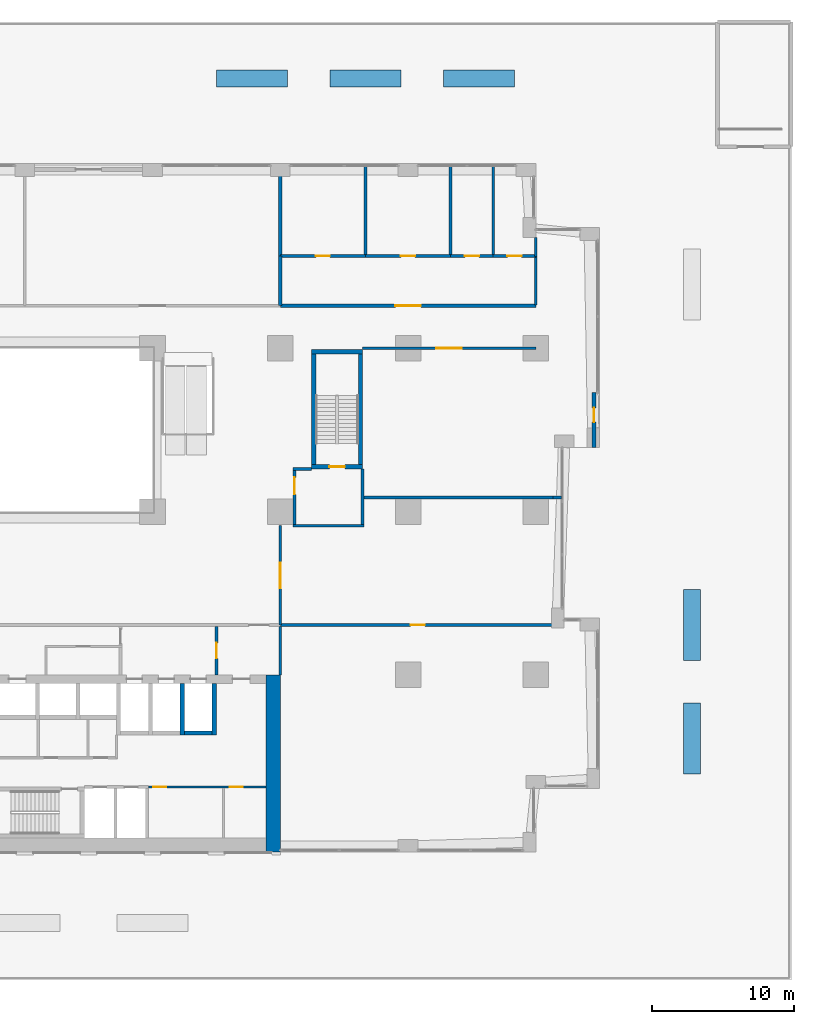
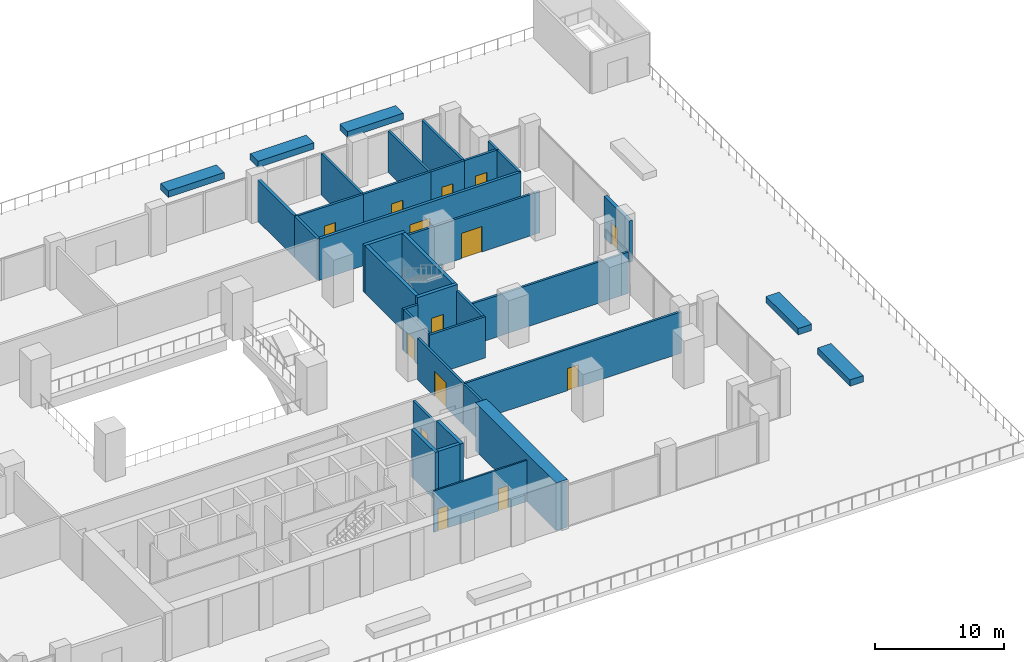
# One storey, part 15 of 19: 38 walls, 14 doors, 14 openings.
"""IFC4 building model written with IfcOpenShell, lengths in metres."""

from ifc_helpers import new_model, si_unit, direction, frame, frame_2d, origin, place, context, subcontext, project, spatial, rectangle, extrude, material, layer, layer_set, type_object, element, fill, save


model = new_model("IFC4")

# Units and contexts
model_context = context("Model", 3, precision=1e-05, world=origin(), true_north=direction((0.0, 1.0)))
body_context = subcontext(model_context, "Body", "Model", "MODEL_VIEW")
ifc_project = project(units=[si_unit("LENGTHUNIT", "METRE"), si_unit("AREAUNIT", "SQUARE_METRE"), si_unit("VOLUMEUNIT", "CUBIC_METRE"), si_unit("PLANEANGLEUNIT", "RADIAN"), si_unit("MASSUNIT", "GRAM", prefix="KILO")], contexts=[model_context])

# Site, building, storey
site_placement = place(None, origin())
site = spatial("IfcSite", under=ifc_project, at=site_placement, CompositionType="ELEMENT")
building_placement = place(site_placement, origin())
building = spatial("IfcBuilding", under=site, at=building_placement, Name="Brigalow Station Residences", CompositionType="ELEMENT")
storey_placement = place(building_placement, frame((0.0, 0.0, 11.0)))
storey = spatial("IfcBuildingStorey", under=building, at=storey_placement, Name="L02", CompositionType="ELEMENT", Elevation=11.0)

# Walls
ifc_material_1 = material(Name="Concrete C80", Category="concrete")
ifc_layer_1 = layer(ifc_material_1, 1.0)
ifc_layer_set_1 = layer_set([ifc_layer_1], Name="CORE SHEAR WALL 1000 C80")
wall_type_1 = type_object("IfcWallType", Name="CORE SHEAR WALL 1000 C80", PredefinedType="SHEAR", material=ifc_layer_set_1)
wall_1_placement = place(storey_placement, frame((53.5, 0.0, 0.0), z_axis=(0.0, 0.0, 1.0), x_axis=(0.0, 1.0, 0.0)))
element("IfcWall", 1, at=wall_1_placement, inside=storey, type_object=wall_type_1, Name="CORE WALL OUT-E L02", PredefinedType="SHEAR", context=body_context, shape_type="SweptSolid", body=[
    extrude(rectangle(XDim=12.5, YDim=1.0, at=frame_2d((6.25, 0.0))), origin(), (0.0, 0.0, 1.0), 4.5),
])
ifc_material_2 = material(Name="Concrete C80", Category="concrete")
ifc_layer_2 = layer(ifc_material_2, 0.300048828125)
ifc_layer_set_2 = layer_set([ifc_layer_2], Name="CORE SHEAR WALL 300 C80")
wall_type_2 = type_object("IfcWallType", Name="CORE SHEAR WALL 300 C80", PredefinedType="SHEAR", material=ifc_layer_set_2)
wall_2_placement = place(storey_placement, frame((47.25, 8.39990234375, 0.0), z_axis=(0.0, 0.0, 1.0), x_axis=(1.0, 0.0, 0.0)))
element("IfcWall", 2, at=wall_2_placement, inside=storey, type_object=wall_type_2, Name="CORE WALL SH-SL1-S L02", PredefinedType="SHEAR", context=body_context, shape_type="SweptSolid", body=[
    extrude(rectangle(XDim=1.949951171875, YDim=0.300048828125, at=frame_2d((0.97509765625, 0.0))), origin(), (0.0, 0.0, 1.0), 4.5),
])
for number, where, z_axis, x_axis, name in (
    (3, (47.10009765625, 8.25, 0.0), (0.0, 0.0, 1.0), (0.0, 1.0, 0.0), "CORE WALL SH-SL1-W L02"),
    (4, (49.35009765625, 8.25, 0.0), (0.0, 0.0, 1.0), (0.0, 1.0, 0.0), "CORE WALL SH-SL1-E L02"),
):
    element("IfcWall", number, at=place(storey_placement, frame(where, z_axis=z_axis, x_axis=x_axis)), inside=storey, type_object=wall_type_2, Name=name, PredefinedType="SHEAR", context=body_context, shape_type="SweptSolid", body=[
        extrude(rectangle(XDim=3.64990234375, YDim=0.300048828125, at=frame_2d((1.824951171875, 0.0))), origin(), (0.0, 0.0, 1.0), 4.5),
    ])

# Wall, opening, door
wall_3_placement = place(storey_placement, frame((56.199951171875, 27.14990234375, 0.0), z_axis=(0.0, 0.0, 1.0), x_axis=(1.0, 0.0, 0.0)))
wall_3 = element("IfcWall", 5, at=wall_3_placement, inside=storey, type_object=wall_type_2, Name="CORE WALL ST-S3-S L02", PredefinedType="SHEAR", context=body_context, shape_type="SweptSolid", body=[
    extrude(rectangle(XDim=3.60009765625, YDim=0.300048828125, at=frame_2d((1.800048828125, 0.0))), origin(), (0.0, 0.0, 1.0), 4.5),
])
opening_1_placement = place(wall_3_placement, frame((1.25, 0.0, 0.0)))
opening_1 = element("IfcOpeningElement", 6, at=opening_1_placement, cuts=wall_3, Name="Opening D-5018", PredefinedType="OPENING", context=body_context, shape_type="SweptSolid", body=[
    extrude(rectangle(XDim=1.10009765625, YDim=2.10009765625, at=frame_2d((0.550048828125, 1.050048828125))), frame((0.0, 0.16015625, 0.0), z_axis=(0.0, -1.0, 0.0), x_axis=(1.0, 0.0, 0.0)), (0.0, 0.0, 1.0), 0.320068359375),
])
ifc_material_3 = material(Name="Steel fire door leaf in steel frame", Category="steel")
door_type_1 = type_object("IfcDoorType", Name="STAIR DOOR 1100 x 2100 FD60S", OperationType="SINGLE_SWING_LEFT", PredefinedType="DOOR", material=ifc_material_3)
door_1_placement = place(opening_1_placement, origin())
door_1 = element("IfcDoor", 7, at=door_1_placement, inside=storey, type_object=door_type_1, Name="D-5018", OperationType="SINGLE_SWING_LEFT", OverallHeight=2.10009765625, OverallWidth=1.10009765625, PredefinedType="DOOR", context=body_context, shape_type="SweptSolid", body=[
    extrude(rectangle(XDim=1.10009765625, YDim=2.10009765625, at=frame_2d((0.550048828125, 1.050048828125))), frame((0.0, 0.02490234375, 0.0), z_axis=(0.0, -1.0, 0.0), x_axis=(1.0, 0.0, 0.0)), (0.0, 0.0, 1.0), 0.050048828125),
])
fill(opening_1, door_1)

# Walls
wall_4_placement = place(storey_placement, frame((56.199951171875, 35.25, 0.0), z_axis=(0.0, 0.0, 1.0), x_axis=(1.0, 0.0, 0.0)))
element("IfcWall", 8, at=wall_4_placement, inside=storey, type_object=wall_type_2, Name="CORE WALL ST-S3-N L02", PredefinedType="SHEAR", context=body_context, shape_type="SweptSolid", body=[
    extrude(rectangle(XDim=3.60009765625, YDim=0.300048828125, at=frame_2d((1.800048828125, 0.0))), origin(), (0.0, 0.0, 1.0), 4.5),
])
for number, where, z_axis, x_axis, name in (
    (9, (56.35009765625, 27.300048828125, 0.0), (0.0, 0.0, 1.0), (0.0, 1.0, 0.0), "CORE WALL ST-S3-W L02"),
    (10, (59.64990234375, 27.300048828125, 0.0), (0.0, 0.0, 1.0), (0.0, 1.0, 0.0), "CORE WALL ST-S3-E L02"),
):
    element("IfcWall", number, at=place(storey_placement, frame(where, z_axis=z_axis, x_axis=x_axis)), inside=storey, type_object=wall_type_2, Name=name, PredefinedType="SHEAR", context=body_context, shape_type="SweptSolid", body=[
        extrude(rectangle(XDim=7.800048828125, YDim=0.300048828125, at=frame_2d((3.89990234375, 0.0))), origin(), (0.0, 0.0, 1.0), 4.5),
    ])

# Wall, opening, door
ifc_material_4 = material(Name="Glass and aluminium shopfront on a masonry base", Category="masonry")
ifc_layer_3 = layer(ifc_material_4, 0.300048828125)
ifc_layer_set_3 = layer_set([ifc_layer_3], Name="ENTRANCE INFILL 300")
wall_type_3 = type_object("IfcWallType", Name="ENTRANCE INFILL 300", PredefinedType="SOLIDWALL", material=ifc_layer_set_3)
wall_5_placement = place(storey_placement, frame((76.10009765625, 28.5, 0.0), z_axis=(0.0, 0.0, 1.0), x_axis=(0.0, 1.0, 0.0)))
wall_5 = element("IfcWall", 11, at=wall_5_placement, inside=storey, type_object=wall_type_3, Name="Entrance Infill 300 Residents' Club Room / TERRACE", PredefinedType="SOLIDWALL", context=body_context, shape_type="SweptSolid", body=[
    extrude(rectangle(XDim=3.875, YDim=0.300048828125, at=frame_2d((1.9375, 0.0))), origin(), (0.0, 0.0, 1.0), 3.89990234375),
])
opening_2_placement = place(wall_5_placement, frame((1.800048828125, 0.0, 0.0)))
opening_2 = element("IfcOpeningElement", 12, at=opening_2_placement, cuts=wall_5, Name="Opening D-7408", PredefinedType="OPENING", context=body_context, shape_type="SweptSolid", body=[
    extrude(rectangle(XDim=1.0, YDim=2.10009765625, at=frame_2d((0.5, 1.050048828125))), frame((0.0, 0.16015625, 0.0), z_axis=(0.0, -1.0, 0.0), x_axis=(1.0, 0.0, 0.0)), (0.0, 0.0, 1.0), 0.320068359375),
])
ifc_material_5 = material(Name="Timber door leaf in steel frame", Category="steel")
door_type_2 = type_object("IfcDoorType", Name="DOOR SINGLE 1000", OperationType="SINGLE_SWING_LEFT", PredefinedType="DOOR", material=ifc_material_5)
door_2_placement = place(opening_2_placement, origin())
door_2 = element("IfcDoor", 13, at=door_2_placement, inside=storey, type_object=door_type_2, Name="Club room terrace door", OperationType="SINGLE_SWING_LEFT", OverallHeight=2.10009765625, OverallWidth=1.0, PredefinedType="DOOR", context=body_context, shape_type="SweptSolid", body=[
    extrude(rectangle(XDim=1.0, YDim=2.10009765625, at=frame_2d((0.5, 1.050048828125))), frame((0.0, 0.02490234375, 0.0), z_axis=(0.0, -1.0, 0.0), x_axis=(1.0, 0.0, 0.0)), (0.0, 0.0, 1.0), 0.050048828125),
])
fill(opening_2, door_2)

ifc_material_6 = material(Name="Fire-rated plasterboard on steel studs", Category="steel")
ifc_layer_4 = layer(ifc_material_6, 0.25)
ifc_layer_set_4 = layer_set([ifc_layer_4], Name="FIRE PARTITION 250")
wall_type_4 = type_object("IfcWallType", Name="FIRE PARTITION 250", PredefinedType="PARTITIONING", material=ifc_layer_set_4)
wall_6_placement = place(storey_placement, frame((54.0, 38.5, 0.0), z_axis=(0.0, 0.0, 1.0), x_axis=(1.0, 0.0, 0.0)))
wall_6 = element("IfcWall", 14, at=wall_6_placement, inside=storey, type_object=wall_type_4, Name="Fire Partition 250 Amenity Gallery / Public Wc Lobby", PredefinedType="PARTITIONING", context=body_context, shape_type="SweptSolid", body=[
    extrude(rectangle(XDim=18.0, YDim=0.25, at=frame_2d((9.0, 0.0))), origin(), (0.0, 0.0, 1.0), 3.89990234375),
])
opening_3_placement = place(wall_6_placement, frame((8.10009765625, 0.0, 0.0)))
opening_3 = element("IfcOpeningElement", 15, at=opening_3_placement, cuts=wall_6, Name="Opening D-7411", PredefinedType="OPENING", context=body_context, shape_type="SweptSolid", body=[
    extrude(rectangle(XDim=1.800048828125, YDim=2.39990234375, at=frame_2d((0.89990234375, 1.199951171875))), frame((0.0, 0.135009765625, 0.0), z_axis=(0.0, -1.0, 0.0), x_axis=(1.0, 0.0, 0.0)), (0.0, 0.0, 1.0), 0.27001953125),
])
ifc_material_7 = material(Name="Steel fire door leaves in steel frame", Category="steel")
door_type_3 = type_object("IfcDoorType", Name="DOOR DOUBLE 1800 FIRE", OperationType="DOUBLE_DOOR_SINGLE_SWING", PredefinedType="DOOR", material=ifc_material_7)
door_3_placement = place(opening_3_placement, origin())
door_3 = element("IfcDoor", 16, at=door_3_placement, inside=storey, type_object=door_type_3, Name="Public WC lobby door", OperationType="DOUBLE_DOOR_SINGLE_SWING", OverallHeight=2.39990234375, OverallWidth=1.800048828125, PredefinedType="DOOR", context=body_context, shape_type="SweptSolid", body=[
    extrude(rectangle(XDim=1.800048828125, YDim=2.39990234375, at=frame_2d((0.89990234375, 1.199951171875))), frame((0.0, 0.02490234375, 0.0), z_axis=(0.0, -1.0, 0.0), x_axis=(1.0, 0.0, 0.0)), (0.0, 0.0, 1.0), 0.050048828125),
])
fill(opening_3, door_3)

# Walls
wall_7_placement = place(storey_placement, frame((54.0, 38.5, 0.0), z_axis=(0.0, 0.0, 1.0), x_axis=(0.0, 1.0, 0.0)))
element("IfcWall", 17, at=wall_7_placement, inside=storey, type_object=wall_type_4, Name="Fire Partition 250 Function Room / Public Wc Lobby", PredefinedType="PARTITIONING", context=body_context, shape_type="SweptSolid", body=[
    extrude(rectangle(XDim=3.5, YDim=0.25, at=frame_2d((1.75, 0.0))), origin(), (0.0, 0.0, 1.0), 3.89990234375),
])
wall_8_placement = place(storey_placement, frame((54.0, 42.0, 0.0), z_axis=(0.0, 0.0, 1.0), x_axis=(0.0, 1.0, 0.0)))
element("IfcWall", 18, at=wall_8_placement, inside=storey, type_object=wall_type_4, Name="Fire Partition 250 Function Room / Women'S Wc", PredefinedType="PARTITIONING", context=body_context, shape_type="SweptSolid", body=[
    extrude(rectangle(XDim=5.699951171875, YDim=0.25, at=frame_2d((2.85009765625, 0.0))), origin(), (0.0, 0.0, 1.0), 3.89990234375),
])
ifc_material_8 = material(Name="Concrete blockwork", Category="masonry")
ifc_layer_5 = layer(ifc_material_8, 0.199951171875)
ifc_layer_set_5 = layer_set([ifc_layer_5], Name="FIRE RATED CORE PARTITION 200")
wall_type_5 = type_object("IfcWallType", Name="FIRE RATED CORE PARTITION 200", PredefinedType="PARTITIONING", material=ifc_layer_set_5)
wall_9_placement = place(storey_placement, frame((54.89990234375, 23.0, 0.0), z_axis=(0.0, 0.0, 1.0), x_axis=(1.0, 0.0, 0.0)))
element("IfcWall", 19, at=wall_9_placement, inside=storey, type_object=wall_type_5, Name="PW-5024", PredefinedType="PARTITIONING", context=body_context, shape_type="SweptSolid", body=[
    extrude(rectangle(XDim=5.0, YDim=0.199951171875, at=frame_2d((2.5, 0.0))), origin(), (0.0, 0.0, 1.0), 3.89990234375),
])
wall_10_placement = place(storey_placement, frame((54.89990234375, 27.0, 0.0), z_axis=(0.0, 0.0, 1.0), x_axis=(1.0, 0.0, 0.0)))
element("IfcWall", 20, at=wall_10_placement, inside=storey, type_object=wall_type_5, Name="PW-5026", PredefinedType="PARTITIONING", context=body_context, shape_type="SweptSolid", body=[
    extrude(rectangle(XDim=1.300048828125, YDim=0.199951171875, at=frame_2d((0.64990234375, 0.0))), origin(), (0.0, 0.0, 1.0), 3.89990234375),
])

# Wall, opening, door
wall_11_placement = place(storey_placement, frame((49.5, 12.5, 0.0), z_axis=(0.0, 0.0, 1.0), x_axis=(0.0, 1.0, 0.0)))
wall_11 = element("IfcWall", 21, at=wall_11_placement, inside=storey, type_object=wall_type_5, Name="PW-5015", PredefinedType="PARTITIONING", context=body_context, shape_type="SweptSolid", body=[
    extrude(rectangle(XDim=3.39990234375, YDim=0.199951171875, at=frame_2d((1.699951171875, 0.0))), origin(), (0.0, 0.0, 1.0), 3.89990234375),
])
opening_4_placement = place(wall_11_placement, frame((1.14990234375, 0.0, 0.0)))
opening_4 = element("IfcOpeningElement", 22, at=opening_4_placement, cuts=wall_11, Name="Opening D-5014", PredefinedType="OPENING", context=body_context, shape_type="SweptSolid", body=[
    extrude(rectangle(XDim=1.10009765625, YDim=2.10009765625, at=frame_2d((0.550048828125, 1.050048828125))), frame((0.0, 0.10986328125, 0.0), z_axis=(0.0, -1.0, 0.0), x_axis=(1.0, 0.0, 0.0)), (0.0, 0.0, 1.0), 0.219970703125),
])
ifc_material_9 = material(Name="Steel fire door leaf in steel frame", Category="steel")
door_type_4 = type_object("IfcDoorType", Name="LOBBY DOOR 1100 x 2100 FD60S", OperationType="SINGLE_SWING_LEFT", PredefinedType="DOOR", material=ifc_material_9)
door_4_placement = place(opening_4_placement, origin())
door_4 = element("IfcDoor", 23, at=door_4_placement, inside=storey, type_object=door_type_4, Name="D-5014", OperationType="SINGLE_SWING_LEFT", OverallHeight=2.10009765625, OverallWidth=1.10009765625, PredefinedType="DOOR", context=body_context, shape_type="SweptSolid", body=[
    extrude(rectangle(XDim=1.10009765625, YDim=2.10009765625, at=frame_2d((0.550048828125, 1.050048828125))), frame((0.0, 0.02490234375, 0.0), z_axis=(0.0, -1.0, 0.0), x_axis=(1.0, 0.0, 0.0)), (0.0, 0.0, 1.0), 0.050048828125),
])
fill(opening_4, door_4)

# Wall
wall_12_placement = place(storey_placement, frame((54.0, 12.5, 0.0), z_axis=(0.0, 0.0, 1.0), x_axis=(0.0, 1.0, 0.0)))
element("IfcWall", 24, at=wall_12_placement, inside=storey, type_object=wall_type_5, Name="PW-5016", PredefinedType="PARTITIONING", context=body_context, shape_type="SweptSolid", body=[
    extrude(rectangle(XDim=3.39990234375, YDim=0.199951171875, at=frame_2d((1.699951171875, 0.0))), origin(), (0.0, 0.0, 1.0), 3.89990234375),
])

# Wall, opening, door
wall_13_placement = place(storey_placement, frame((55.0, 23.10009765625, 0.0), z_axis=(0.0, 0.0, 1.0), x_axis=(0.0, 1.0, 0.0)))
wall_13 = element("IfcWall", 25, at=wall_13_placement, inside=storey, type_object=wall_type_5, Name="PW-5036", PredefinedType="PARTITIONING", context=body_context, shape_type="SweptSolid", body=[
    extrude(rectangle(XDim=3.7998046875, YDim=0.199951171875, at=frame_2d((1.89990234375, 0.0))), origin(), (0.0, 0.0, 1.0), 3.89990234375),
])
opening_5_placement = place(wall_13_placement, frame((2.10009765625, 0.0, 0.0)))
opening_5 = element("IfcOpeningElement", 26, at=opening_5_placement, cuts=wall_13, Name="Opening D-5019", PredefinedType="OPENING", context=body_context, shape_type="SweptSolid", body=[
    extrude(rectangle(XDim=1.199951171875, YDim=2.10009765625, at=frame_2d((0.60009765625, 1.050048828125))), frame((0.0, 0.10986328125, 0.0), z_axis=(0.0, -1.0, 0.0), x_axis=(1.0, 0.0, 0.0)), (0.0, 0.0, 1.0), 0.219970703125),
])
ifc_material_10 = material(Name="Steel fire door leaf in steel frame", Category="steel")
door_type_5 = type_object("IfcDoorType", Name="STAIR LOBBY DOOR 1200 x 2100 FD60S", OperationType="SINGLE_SWING_LEFT", PredefinedType="DOOR", material=ifc_material_10)
door_5_placement = place(opening_5_placement, frame((1.199951171875, 0.0, 0.0), z_axis=(0.0, 0.0, 1.0), x_axis=(-1.0, 0.0, 0.0)))
door_5 = element("IfcDoor", 27, at=door_5_placement, inside=storey, type_object=door_type_5, Name="D-5019", OperationType="SINGLE_SWING_LEFT", OverallHeight=2.10009765625, OverallWidth=1.199951171875, PredefinedType="DOOR", context=body_context, shape_type="SweptSolid", body=[
    extrude(rectangle(XDim=1.199951171875, YDim=2.10009765625, at=frame_2d((0.60009765625, 1.050048828125))), frame((0.0, 0.02490234375, 0.0), z_axis=(0.0, -1.0, 0.0), x_axis=(1.0, 0.0, 0.0)), (0.0, 0.0, 1.0), 0.050048828125),
])
fill(opening_5, door_5)

# Wall
wall_14_placement = place(storey_placement, frame((59.800048828125, 23.10009765625, 0.0), z_axis=(0.0, 0.0, 1.0), x_axis=(0.0, 1.0, 0.0)))
element("IfcWall", 28, at=wall_14_placement, inside=storey, type_object=wall_type_5, Name="PW-5037", PredefinedType="PARTITIONING", context=body_context, shape_type="SweptSolid", body=[
    extrude(rectangle(XDim=3.89990234375, YDim=0.199951171875, at=frame_2d((1.949951171875, 0.0))), origin(), (0.0, 0.0, 1.0), 3.89990234375),
])

# Wall, opening, door
ifc_material_11 = material(Name="Plasterboard on steel studs with acoustic insulation", Category="steel")
ifc_layer_6 = layer(ifc_material_11, 0.199951171875)
ifc_layer_set_6 = layer_set([ifc_layer_6], Name="PARTITION 200")
wall_type_6 = type_object("IfcWallType", Name="PARTITION 200", PredefinedType="PARTITIONING", material=ifc_layer_set_6)
wall_15_placement = place(storey_placement, frame((59.800048828125, 35.5, 0.0), z_axis=(0.0, 0.0, 1.0), x_axis=(1.0, 0.0, 0.0)))
wall_15 = element("IfcWall", 29, at=wall_15_placement, inside=storey, type_object=wall_type_6, Name="Partition 200 Amenity Gallery / Residents' Club Room", PredefinedType="PARTITIONING", context=body_context, shape_type="SweptSolid", body=[
    extrude(rectangle(XDim=12.199951171875, YDim=0.199951171875, at=frame_2d((6.10009765625, 0.0))), origin(), (0.0, 0.0, 1.0), 3.89990234375),
])
opening_6_placement = place(wall_15_placement, frame((5.199951171875, 0.0, 0.0)))
opening_6 = element("IfcOpeningElement", 30, at=opening_6_placement, cuts=wall_15, Name="Opening D-7418", PredefinedType="OPENING", context=body_context, shape_type="SweptSolid", body=[
    extrude(rectangle(XDim=1.800048828125, YDim=2.39990234375, at=frame_2d((0.89990234375, 1.199951171875))), frame((0.0, 0.10986328125, 0.0), z_axis=(0.0, -1.0, 0.0), x_axis=(1.0, 0.0, 0.0)), (0.0, 0.0, 1.0), 0.219970703125),
])
ifc_material_12 = material(Name="Timber door leaves in steel frame", Category="steel")
door_type_6 = type_object("IfcDoorType", Name="DOOR DOUBLE 1800", OperationType="DOUBLE_DOOR_SINGLE_SWING", PredefinedType="DOOR", material=ifc_material_12)
door_6_placement = place(opening_6_placement, origin())
door_6 = element("IfcDoor", 31, at=door_6_placement, inside=storey, type_object=door_type_6, Name="Residents' club room door", OperationType="DOUBLE_DOOR_SINGLE_SWING", OverallHeight=2.39990234375, OverallWidth=1.800048828125, PredefinedType="DOOR", context=body_context, shape_type="SweptSolid", body=[
    extrude(rectangle(XDim=1.800048828125, YDim=2.39990234375, at=frame_2d((0.89990234375, 1.199951171875))), frame((0.0, 0.02490234375, 0.0), z_axis=(0.0, -1.0, 0.0), x_axis=(1.0, 0.0, 0.0)), (0.0, 0.0, 1.0), 0.050048828125),
])
fill(opening_6, door_6)

wall_16_placement = place(storey_placement, frame((54.0, 16.0, 0.0), z_axis=(0.0, 0.0, 1.0), x_axis=(0.0, 1.0, 0.0)))
wall_16 = element("IfcWall", 32, at=wall_16_placement, inside=storey, type_object=wall_type_6, Name="Partition 200 Amenity Gallery / Yoga Studio", PredefinedType="PARTITIONING", context=body_context, shape_type="SweptSolid", body=[
    extrude(rectangle(XDim=7.0, YDim=0.199951171875, at=frame_2d((3.5, 0.0))), origin(), (0.0, 0.0, 1.0), 3.89990234375),
])
opening_7_placement = place(wall_16_placement, frame((2.60009765625, 0.0, 0.0)))
opening_7 = element("IfcOpeningElement", 33, at=opening_7_placement, cuts=wall_16, Name="Opening D-7419", PredefinedType="OPENING", context=body_context, shape_type="SweptSolid", body=[
    extrude(rectangle(XDim=1.800048828125, YDim=2.39990234375, at=frame_2d((0.89990234375, 1.199951171875))), frame((0.0, 0.10986328125, 0.0), z_axis=(0.0, -1.0, 0.0), x_axis=(1.0, 0.0, 0.0)), (0.0, 0.0, 1.0), 0.219970703125),
])
door_7_placement = place(opening_7_placement, origin())
door_7 = element("IfcDoor", 34, at=door_7_placement, inside=storey, type_object=door_type_6, Name="Yoga studio door", OperationType="DOUBLE_DOOR_SINGLE_SWING", OverallHeight=2.39990234375, OverallWidth=1.800048828125, PredefinedType="DOOR", context=body_context, shape_type="SweptSolid", body=[
    extrude(rectangle(XDim=1.800048828125, YDim=2.39990234375, at=frame_2d((0.89990234375, 1.199951171875))), frame((0.0, 0.02490234375, 0.0), z_axis=(0.0, -1.0, 0.0), x_axis=(1.0, 0.0, 0.0)), (0.0, 0.0, 1.0), 0.050048828125),
])
fill(opening_7, door_7)

wall_17_placement = place(storey_placement, frame((54.0, 42.0, 0.0), z_axis=(0.0, 0.0, 1.0), x_axis=(1.0, 0.0, 0.0)))
wall_17 = element("IfcWall", 35, at=wall_17_placement, inside=storey, type_object=wall_type_6, Name="Partition 200 Public Wc Lobby / Women'S Wc", PredefinedType="PARTITIONING", context=body_context, shape_type="SweptSolid", body=[
    extrude(rectangle(XDim=6.0, YDim=0.199951171875, at=frame_2d((3.0, 0.0))), origin(), (0.0, 0.0, 1.0), 3.89990234375),
])
opening_8_placement = place(wall_17_placement, frame((2.5, 0.0, 0.0)))
opening_8 = element("IfcOpeningElement", 36, at=opening_8_placement, cuts=wall_17, Name="Opening D-7412", PredefinedType="OPENING", context=body_context, shape_type="SweptSolid", body=[
    extrude(rectangle(XDim=1.0, YDim=2.10009765625, at=frame_2d((0.5, 1.050048828125))), frame((0.0, 0.10986328125, 0.0), z_axis=(0.0, -1.0, 0.0), x_axis=(1.0, 0.0, 0.0)), (0.0, 0.0, 1.0), 0.219970703125),
])
ifc_material_13 = material(Name="Steel fire door leaf in steel frame", Category="steel")
door_type_7 = type_object("IfcDoorType", Name="DOOR SINGLE 1000 FIRE", OperationType="SINGLE_SWING_LEFT", PredefinedType="DOOR", material=ifc_material_13)
door_8_placement = place(opening_8_placement, origin())
door_8 = element("IfcDoor", 37, at=door_8_placement, inside=storey, type_object=door_type_7, Name="Women's WC door", OperationType="SINGLE_SWING_RIGHT", OverallHeight=2.10009765625, OverallWidth=1.0, PredefinedType="DOOR", context=body_context, shape_type="SweptSolid", body=[
    extrude(rectangle(XDim=1.0, YDim=2.10009765625, at=frame_2d((0.5, 1.050048828125))), frame((0.0, 0.02490234375, 0.0), z_axis=(0.0, -1.0, 0.0), x_axis=(1.0, 0.0, 0.0)), (0.0, 0.0, 1.0), 0.050048828125),
])
fill(opening_8, door_8)

wall_18_placement = place(storey_placement, frame((60.0, 42.0, 0.0), z_axis=(0.0, 0.0, 1.0), x_axis=(1.0, 0.0, 0.0)))
wall_18 = element("IfcWall", 38, at=wall_18_placement, inside=storey, type_object=wall_type_6, Name="Partition 200 Public Wc Lobby / Men'S Wc", PredefinedType="PARTITIONING", context=body_context, shape_type="SweptSolid", body=[
    extrude(rectangle(XDim=6.0, YDim=0.199951171875, at=frame_2d((3.0, 0.0))), origin(), (0.0, 0.0, 1.0), 3.89990234375),
])
opening_9_placement = place(wall_18_placement, frame((2.5, 0.0, 0.0)))
opening_9 = element("IfcOpeningElement", 39, at=opening_9_placement, cuts=wall_18, Name="Opening D-7413", PredefinedType="OPENING", context=body_context, shape_type="SweptSolid", body=[
    extrude(rectangle(XDim=1.0, YDim=2.10009765625, at=frame_2d((0.5, 1.050048828125))), frame((0.0, 0.10986328125, 0.0), z_axis=(0.0, -1.0, 0.0), x_axis=(1.0, 0.0, 0.0)), (0.0, 0.0, 1.0), 0.219970703125),
])
door_9_placement = place(opening_9_placement, origin())
door_9 = element("IfcDoor", 40, at=door_9_placement, inside=storey, type_object=door_type_7, Name="Men's WC door", OperationType="SINGLE_SWING_LEFT", OverallHeight=2.10009765625, OverallWidth=1.0, PredefinedType="DOOR", context=body_context, shape_type="SweptSolid", body=[
    extrude(rectangle(XDim=1.0, YDim=2.10009765625, at=frame_2d((0.5, 1.050048828125))), frame((0.0, 0.02490234375, 0.0), z_axis=(0.0, -1.0, 0.0), x_axis=(1.0, 0.0, 0.0)), (0.0, 0.0, 1.0), 0.050048828125),
])
fill(opening_9, door_9)

wall_19_placement = place(storey_placement, frame((66.0, 42.0, 0.0), z_axis=(0.0, 0.0, 1.0), x_axis=(1.0, 0.0, 0.0)))
wall_19 = element("IfcWall", 41, at=wall_19_placement, inside=storey, type_object=wall_type_6, Name="Partition 200 Public Wc Lobby / Accessible Wc", PredefinedType="PARTITIONING", context=body_context, shape_type="SweptSolid", body=[
    extrude(rectangle(XDim=3.0, YDim=0.199951171875, at=frame_2d((1.5, 0.0))), origin(), (0.0, 0.0, 1.0), 3.89990234375),
])
opening_10_placement = place(wall_19_placement, frame((1.0, 0.0, 0.0)))
opening_10 = element("IfcOpeningElement", 42, at=opening_10_placement, cuts=wall_19, Name="Opening D-7414", PredefinedType="OPENING", context=body_context, shape_type="SweptSolid", body=[
    extrude(rectangle(XDim=1.0, YDim=2.10009765625, at=frame_2d((0.5, 1.050048828125))), frame((0.0, 0.10986328125, 0.0), z_axis=(0.0, -1.0, 0.0), x_axis=(1.0, 0.0, 0.0)), (0.0, 0.0, 1.0), 0.219970703125),
])
ifc_material_14 = material(Name="Timber door leaf in steel frame", Category="steel")
door_type_8 = type_object("IfcDoorType", Name="DOOR ACCESSIBLE 1000", OperationType="SINGLE_SWING_RIGHT", PredefinedType="DOOR", material=ifc_material_14)
door_10_placement = place(opening_10_placement, origin())
door_10 = element("IfcDoor", 43, at=door_10_placement, inside=storey, type_object=door_type_8, Name="Accessible WC door", OperationType="SINGLE_SWING_RIGHT", OverallHeight=2.10009765625, OverallWidth=1.0, PredefinedType="DOOR", context=body_context, shape_type="SweptSolid", body=[
    extrude(rectangle(XDim=1.0, YDim=2.10009765625, at=frame_2d((0.5, 1.050048828125))), frame((0.0, 0.02490234375, 0.0), z_axis=(0.0, -1.0, 0.0), x_axis=(1.0, 0.0, 0.0)), (0.0, 0.0, 1.0), 0.050048828125),
])
fill(opening_10, door_10)

wall_20_placement = place(storey_placement, frame((69.0, 42.0, 0.0), z_axis=(0.0, 0.0, 1.0), x_axis=(1.0, 0.0, 0.0)))
wall_20 = element("IfcWall", 44, at=wall_20_placement, inside=storey, type_object=wall_type_6, Name="Partition 200 Public Wc Lobby / Cleaners Store", PredefinedType="PARTITIONING", context=body_context, shape_type="SweptSolid", body=[
    extrude(rectangle(XDim=3.0, YDim=0.199951171875, at=frame_2d((1.5, 0.0))), origin(), (0.0, 0.0, 1.0), 3.89990234375),
])
opening_11_placement = place(wall_20_placement, frame((1.0, 0.0, 0.0)))
opening_11 = element("IfcOpeningElement", 45, at=opening_11_placement, cuts=wall_20, Name="Opening D-7415", PredefinedType="OPENING", context=body_context, shape_type="SweptSolid", body=[
    extrude(rectangle(XDim=1.0, YDim=2.10009765625, at=frame_2d((0.5, 1.050048828125))), frame((0.0, 0.10986328125, 0.0), z_axis=(0.0, -1.0, 0.0), x_axis=(1.0, 0.0, 0.0)), (0.0, 0.0, 1.0), 0.219970703125),
])
door_11_placement = place(opening_11_placement, origin())
door_11 = element("IfcDoor", 46, at=door_11_placement, inside=storey, type_object=door_type_7, Name="Cleaners store door", OperationType="SINGLE_SWING_RIGHT", OverallHeight=2.10009765625, OverallWidth=1.0, PredefinedType="DOOR", context=body_context, shape_type="SweptSolid", body=[
    extrude(rectangle(XDim=1.0, YDim=2.10009765625, at=frame_2d((0.5, 1.050048828125))), frame((0.0, 0.02490234375, 0.0), z_axis=(0.0, -1.0, 0.0), x_axis=(1.0, 0.0, 0.0)), (0.0, 0.0, 1.0), 0.050048828125),
])
fill(opening_11, door_11)

# Walls
for number, where, z_axis, x_axis, name in (
    (47, (60.0, 42.0, 0.0), (0.0, 0.0, 1.0), (0.0, 1.0, 0.0), "Partition 200 Women'S Wc / Men'S Wc"),
    (48, (66.0, 42.0, 0.0), (0.0, 0.0, 1.0), (0.0, 1.0, 0.0), "Partition 200 Men'S Wc / Accessible Wc"),
    (49, (69.0, 42.0, 0.0), (0.0, 0.0, 1.0), (0.0, 1.0, 0.0), "Partition 200 Accessible Wc / Cleaners Store"),
):
    element("IfcWall", number, at=place(storey_placement, frame(where, z_axis=z_axis, x_axis=x_axis)), inside=storey, type_object=wall_type_6, Name=name, PredefinedType="PARTITIONING", context=body_context, shape_type="SweptSolid", body=[
        extrude(rectangle(XDim=6.318115234375, YDim=0.199951171875, at=frame_2d((3.1591796875, 0.0))), origin(), (0.0, 0.0, 1.0), 3.89990234375),
    ])
wall_21_placement = place(storey_placement, frame((59.800048828125, 25.0, 0.0), z_axis=(0.0, 0.0, 1.0), x_axis=(1.0, 0.0, 0.0)))
element("IfcWall", 50, at=wall_21_placement, inside=storey, type_object=wall_type_6, Name="Partition 200 Residents' Club Room / Yoga Studio", PredefinedType="PARTITIONING", context=body_context, shape_type="SweptSolid", body=[
    extrude(rectangle(XDim=13.39990234375, YDim=0.199951171875, at=frame_2d((6.699951171875, 0.0))), origin(), (0.0, 0.0, 1.0), 3.89990234375),
])

# Wall, opening, door
wall_22_placement = place(storey_placement, frame((54.0, 16.0, 0.0), z_axis=(0.0, 0.0, 1.0), x_axis=(1.0, 0.0, 0.0)))
wall_22 = element("IfcWall", 51, at=wall_22_placement, inside=storey, type_object=wall_type_6, Name="Partition 200 Storage Room / Yoga Studio", PredefinedType="PARTITIONING", context=body_context, shape_type="SweptSolid", body=[
    extrude(rectangle(XDim=19.3759765625, YDim=0.199951171875, at=frame_2d((9.68798828125, 0.0))), origin(), (0.0, 0.0, 1.0), 3.89990234375),
])
opening_12_placement = place(wall_22_placement, frame((9.18798828125, 0.0, 0.0)))
opening_12 = element("IfcOpeningElement", 52, at=opening_12_placement, cuts=wall_22, Name="Opening D-7420", PredefinedType="OPENING", context=body_context, shape_type="SweptSolid", body=[
    extrude(rectangle(XDim=1.0, YDim=2.10009765625, at=frame_2d((0.5, 1.050048828125))), frame((0.0, 0.10986328125, 0.0), z_axis=(0.0, -1.0, 0.0), x_axis=(1.0, 0.0, 0.0)), (0.0, 0.0, 1.0), 0.219970703125),
])
door_12_placement = place(opening_12_placement, frame((1.0, 0.0, 0.0), z_axis=(0.0, 0.0, 1.0), x_axis=(-1.0, 0.0, 0.0)))
door_12 = element("IfcDoor", 53, at=door_12_placement, inside=storey, type_object=door_type_2, Name="Storage room door", OperationType="SINGLE_SWING_RIGHT", OverallHeight=2.10009765625, OverallWidth=1.0, PredefinedType="DOOR", context=body_context, shape_type="SweptSolid", body=[
    extrude(rectangle(XDim=1.0, YDim=2.10009765625, at=frame_2d((0.5, 1.050048828125))), frame((0.0, 0.02490234375, 0.0), z_axis=(0.0, -1.0, 0.0), x_axis=(1.0, 0.0, 0.0)), (0.0, 0.0, 1.0), 0.050048828125),
])
fill(opening_12, door_12)

# Walls
wall_23_placement = place(storey_placement, frame((73.199951171875, 25.0, 0.0), z_axis=(0.0, 0.0, 1.0), x_axis=(1.0, 0.0, 0.0)))
element("IfcWall", 54, at=wall_23_placement, inside=storey, type_object=wall_type_6, Name="Partition 200 Yoga Studio / FACADE", PredefinedType="PARTITIONING", context=body_context, shape_type="SweptSolid", body=[
    extrude(rectangle(XDim=0.614990234375, YDim=0.199951171875, at=frame_2d((0.3076171875, 0.0))), origin(), (0.0, 0.0, 1.0), 3.89990234375),
])
wall_24_placement = place(storey_placement, frame((72.0, 38.56005859375, 0.0), z_axis=(0.0, 0.0, 1.0), x_axis=(0.0, 1.0, 0.0)))
element("IfcWall", 55, at=wall_24_placement, inside=storey, type_object=wall_type_6, Name="Partition 200 Public Wc Lobby / VOID", PredefinedType="PARTITIONING", context=body_context, shape_type="SweptSolid", body=[
    extrude(rectangle(XDim=3.39990234375, YDim=0.199951171875, at=frame_2d((1.699951171875, 0.0))), origin(), (0.0, 0.0, 1.0), 3.89990234375),
])
wall_25_placement = place(storey_placement, frame((72.0, 41.9599609375, 0.0), z_axis=(0.0, 0.0, 1.0), x_axis=(0.0, 1.0, 0.0)))
element("IfcWall", 56, at=wall_25_placement, inside=storey, type_object=wall_type_6, Name="Partition 200 Public Wc Lobby / VOID", PredefinedType="PARTITIONING", context=body_context, shape_type="SweptSolid", body=[
    extrude(rectangle(XDim=1.340087890625, YDim=0.199951171875, at=frame_2d((0.669921875, 0.0))), origin(), (0.0, 0.0, 1.0), 3.89990234375),
])
ifc_material_15 = material(Name="Concrete C50", Category="concrete")
ifc_layer_7 = layer(ifc_material_15, 1.199951171875)
ifc_layer_set_7 = layer_set([ifc_layer_7], Name="PLANTER 1200")
wall_type_7 = type_object("IfcWallType", Name="PLANTER 1200", PredefinedType="USERDEFINED", material=ifc_layer_set_7)
for number, where, z_axis, x_axis, name in (
    (57, (49.5, 54.5, 0.0), (0.0, 0.0, 1.0), (1.0, 0.0, 0.0), "Planter TN3"),
    (58, (57.5, 54.5, 0.0), (0.0, 0.0, 1.0), (1.0, 0.0, 0.0), "Planter TN4"),
    (59, (65.5, 54.5, 0.0), (0.0, 0.0, 1.0), (1.0, 0.0, 0.0), "Planter TN5"),
    (60, (83.0, 5.5, 0.0), (0.0, 0.0, 1.0), (0.0, 1.0, 0.0), "Planter TE1"),
    (61, (83.0, 13.5, 0.0), (0.0, 0.0, 1.0), (0.0, 1.0, 0.0), "Planter TE2"),
):
    element("IfcWall", number, at=place(storey_placement, frame(where, z_axis=z_axis, x_axis=x_axis)), inside=storey, type_object=wall_type_7, Name=name, ObjectType="PLANTER", PredefinedType="USERDEFINED", context=body_context, shape_type="SweptSolid", body=[
        extrude(rectangle(XDim=5.0, YDim=1.199951171875, at=frame_2d((2.5, 0.0))), origin(), (0.0, 0.0, 1.0), 0.60009765625),
    ])

# Wall, openings, doors
ifc_material_16 = material(Name="Plasterboard on steel studs", Category="steel")
ifc_layer_8 = layer(ifc_material_16, 0.14990234375)
ifc_layer_set_8 = layer_set([ifc_layer_8], Name="SERVICE ROOM PARTITION 150")
wall_type_8 = type_object("IfcWallType", Name="SERVICE ROOM PARTITION 150", PredefinedType="PARTITIONING", material=ifc_layer_set_8)
wall_26_placement = place(storey_placement, frame((44.699951171875, 4.60009765625, 0.0), z_axis=(0.0, 0.0, 1.0), x_axis=(1.0, 0.0, 0.0)))
wall_26 = element("IfcWall", 62, at=wall_26_placement, inside=storey, type_object=wall_type_8, Name="PW-5020", PredefinedType="PARTITIONING", context=body_context, shape_type="SweptSolid", body=[
    extrude(rectangle(XDim=8.300048828125, YDim=0.14990234375, at=frame_2d((4.14990234375, 0.0))), origin(), (0.0, 0.0, 1.0), 3.89990234375),
])
opening_13_placement = place(wall_26_placement, frame((0.35009765625, 0.0, 0.0)))
opening_13 = element("IfcOpeningElement", 63, at=opening_13_placement, cuts=wall_26, Name="Opening D-5026", PredefinedType="OPENING", context=body_context, shape_type="SweptSolid", body=[
    extrude(rectangle(XDim=0.89990234375, YDim=2.10009765625, at=frame_2d((0.449951171875, 1.050048828125))), frame((0.0, 0.0849609375, 0.0), z_axis=(0.0, -1.0, 0.0), x_axis=(1.0, 0.0, 0.0)), (0.0, 0.0, 1.0), 0.169921875),
])
opening_14_placement = place(wall_26_placement, frame((5.75, 0.0, 0.0)))
opening_14 = element("IfcOpeningElement", 64, at=opening_14_placement, cuts=wall_26, Name="Opening D-5027", PredefinedType="OPENING", context=body_context, shape_type="SweptSolid", body=[
    extrude(rectangle(XDim=0.89990234375, YDim=2.10009765625, at=frame_2d((0.449951171875, 1.050048828125))), frame((0.0, 0.0849609375, 0.0), z_axis=(0.0, -1.0, 0.0), x_axis=(1.0, 0.0, 0.0)), (0.0, 0.0, 1.0), 0.169921875),
])
ifc_material_17 = material(Name="Steel door leaf in steel frame", Category="steel")
door_type_9 = type_object("IfcDoorType", Name="SERVICE ROOM DOOR 900 x 2100 FD60", OperationType="SINGLE_SWING_LEFT", PredefinedType="DOOR", material=ifc_material_17)
door_13_placement = place(opening_13_placement, frame((0.89990234375, 0.0, 0.0), z_axis=(0.0, 0.0, 1.0), x_axis=(-1.0, 0.0, 0.0)))
door_13 = element("IfcDoor", 65, at=door_13_placement, inside=storey, type_object=door_type_9, Name="D-5026", OperationType="SINGLE_SWING_RIGHT", OverallHeight=2.10009765625, OverallWidth=0.89990234375, PredefinedType="DOOR", context=body_context, shape_type="SweptSolid", body=[
    extrude(rectangle(XDim=0.89990234375, YDim=2.10009765625, at=frame_2d((0.449951171875, 1.050048828125))), frame((0.0, 0.02490234375, 0.0), z_axis=(0.0, -1.0, 0.0), x_axis=(1.0, 0.0, 0.0)), (0.0, 0.0, 1.0), 0.050048828125),
])
fill(opening_13, door_13)
door_14_placement = place(opening_14_placement, frame((0.89990234375, 0.0, 0.0), z_axis=(0.0, 0.0, 1.0), x_axis=(-1.0, 0.0, 0.0)))
door_14 = element("IfcDoor", 66, at=door_14_placement, inside=storey, type_object=door_type_9, Name="D-5027", OperationType="SINGLE_SWING_RIGHT", OverallHeight=2.10009765625, OverallWidth=0.89990234375, PredefinedType="DOOR", context=body_context, shape_type="SweptSolid", body=[
    extrude(rectangle(XDim=0.89990234375, YDim=2.10009765625, at=frame_2d((0.449951171875, 1.050048828125))), frame((0.0, 0.02490234375, 0.0), z_axis=(0.0, -1.0, 0.0), x_axis=(1.0, 0.0, 0.0)), (0.0, 0.0, 1.0), 0.050048828125),
])
fill(opening_14, door_14)

save(model, "model.ifc")
